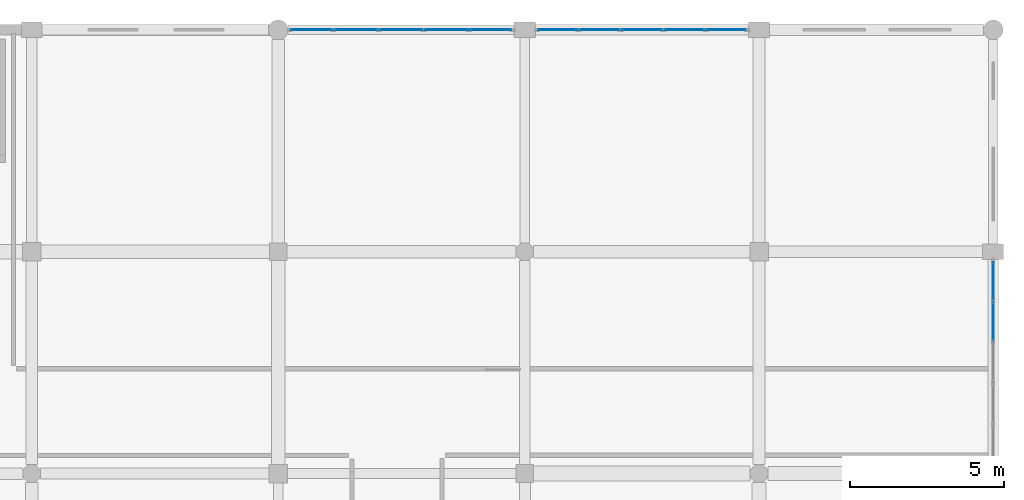
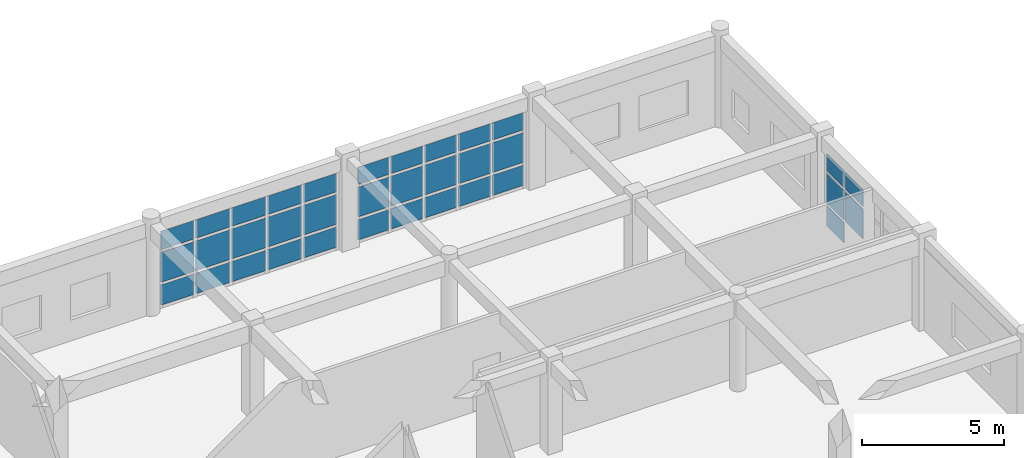
# One storey, part 39 of 53: 35 plates, 3 elements without a shape of their own.
"""IFC4 building model written with IfcOpenShell, lengths in metres."""

from ifc_helpers import new_model, si_unit, direction, frame, origin, origin_2d, place, context, subcontext, project, spatial, rectangle, extrude, material, layer, layer_set, type_object, element, aggregate, save


model = new_model("IFC4")

# Units and contexts
model_context = context("Model", 3, precision=1e-05, world=origin(), true_north=direction((0.0, 1.0)))
body_context = subcontext(model_context, "Body", "Model", "MODEL_VIEW")
ifc_project = project(units=[si_unit("LENGTHUNIT", "METRE"), si_unit("AREAUNIT", "SQUARE_METRE"), si_unit("VOLUMEUNIT", "CUBIC_METRE"), si_unit("PLANEANGLEUNIT", "RADIAN"), si_unit("MASSUNIT", "GRAM", prefix="KILO")], contexts=[model_context])

# Site, building, storey
site_placement = place(None, origin())
site = spatial("IfcSite", under=ifc_project, at=site_placement, CompositionType="ELEMENT")
building_placement = place(site_placement, origin())
building = spatial("IfcBuilding", under=site, at=building_placement, Name="Kharva Crest Polytechnic", CompositionType="ELEMENT")
storey_placement = place(building_placement, frame((0.0, 0.0, 17.39990234375)))
storey = spatial("IfcBuildingStorey", under=building, at=storey_placement, Name="L04", CompositionType="ELEMENT", Elevation=17.39990234375)

# Curtain wall, plates
ifc_material = material(Name="Tempered insulated glass", Category="glass")
curtain_wall_type = type_object("IfcCurtainWallType", Name="CW-SYS-STUDIO", PredefinedType="USERDEFINED", material=ifc_material)
curtain_wall_1_placement = place(storey_placement, origin())
curtain_wall_1 = element("IfcCurtainWall", 1, at=curtain_wall_1_placement, inside=storey, type_object=curtain_wall_type, Name="L04 Glazed Curtain Wall CW-172", ObjectType="CURTAIN WALL", PredefinedType="USERDEFINED")
ifc_layer = layer(ifc_material, 0.02587890625, Name="Tempered insulated glass")
ifc_layer_set = layer_set([ifc_layer], Name="Tempered insulated glass")
plate_type = type_object("IfcPlateType", Name="CWP-GLZ-26", PredefinedType="CURTAIN_PANEL", material=ifc_layer_set)
plate_1_placement = place(storey_placement, frame((184.0, 112.5380859375, 1.10986328125), z_axis=(0.0, 0.0, 1.0), x_axis=(0.0, 1.0, 0.0)))
plate_1 = element("IfcPlate", 2, at=plate_1_placement, type_object=plate_type, Name="CW-172 panel 4.2", PredefinedType="CURTAIN_PANEL", context=body_context, shape_type="SweptSolid", body=[
    extrude(rectangle(XDim=1.258056640625, YDim=0.02587890625, at=origin_2d()), origin(), (0.0, 0.0, 1.0), 1.280029296875),
])
plate_2_placement = place(storey_placement, frame((184.0, 112.5380859375, 2.51025390625), z_axis=(0.0, 0.0, 1.0), x_axis=(0.0, 1.0, 0.0)))
plate_2 = element("IfcPlate", 3, at=plate_2_placement, type_object=plate_type, Name="CW-172 panel 4.3", PredefinedType="CURTAIN_PANEL", context=body_context, shape_type="SweptSolid", body=[
    extrude(rectangle(XDim=1.258056640625, YDim=0.02587890625, at=origin_2d()), origin(), (0.0, 0.0, 1.0), 0.719970703125),
])
plate_3_placement = place(storey_placement, frame((184.0, 113.85595703125, 0.1201171875), z_axis=(0.0, 0.0, 1.0), x_axis=(0.0, 1.0, 0.0)))
plate_3 = element("IfcPlate", 4, at=plate_3_placement, type_object=plate_type, Name="CW-172 panel 5.1", PredefinedType="CURTAIN_PANEL", context=body_context, shape_type="SweptSolid", body=[
    extrude(rectangle(XDim=1.218017578125, YDim=0.02587890625, at=origin_2d()), origin(), (0.0, 0.0, 1.0), 0.8701171875),
])
plate_4_placement = place(storey_placement, frame((184.0, 113.85595703125, 1.10986328125), z_axis=(0.0, 0.0, 1.0), x_axis=(0.0, 1.0, 0.0)))
plate_4 = element("IfcPlate", 5, at=plate_4_placement, type_object=plate_type, Name="CW-172 panel 5.2", PredefinedType="CURTAIN_PANEL", context=body_context, shape_type="SweptSolid", body=[
    extrude(rectangle(XDim=1.218017578125, YDim=0.02587890625, at=origin_2d()), origin(), (0.0, 0.0, 1.0), 1.280029296875),
])
plate_5_placement = place(storey_placement, frame((184.0, 113.85595703125, 2.51025390625), z_axis=(0.0, 0.0, 1.0), x_axis=(0.0, 1.0, 0.0)))
plate_5 = element("IfcPlate", 6, at=plate_5_placement, type_object=plate_type, Name="CW-172 panel 5.3", PredefinedType="CURTAIN_PANEL", context=body_context, shape_type="SweptSolid", body=[
    extrude(rectangle(XDim=1.218017578125, YDim=0.02587890625, at=origin_2d()), origin(), (0.0, 0.0, 1.0), 0.719970703125),
])
aggregate(curtain_wall_1, [plate_1, plate_2, plate_3, plate_4, plate_5])

curtain_wall_2_placement = place(storey_placement, origin())
curtain_wall_2 = element("IfcCurtainWall", 7, at=curtain_wall_2_placement, inside=storey, type_object=curtain_wall_type, Name="L04 Glazed Curtain Wall CW-173", ObjectType="CURTAIN WALL", PredefinedType="USERDEFINED")
plate_6_placement = place(storey_placement, frame((175.344970703125, 122.0, 0.1201171875), z_axis=(0.0, 0.0, 1.0), x_axis=(-1.0, 0.0, 0.0)))
plate_6 = element("IfcPlate", 8, at=plate_6_placement, type_object=plate_type, Name="CW-173 panel 1.1", PredefinedType="CURTAIN_PANEL", context=body_context, shape_type="SweptSolid", body=[
    extrude(rectangle(XDim=1.260009765625, YDim=0.02587890625, at=origin_2d()), origin(), (0.0, 0.0, 1.0), 0.8701171875),
])
plate_7_placement = place(storey_placement, frame((175.344970703125, 122.0, 1.10986328125), z_axis=(0.0, 0.0, 1.0), x_axis=(-1.0, 0.0, 0.0)))
plate_7 = element("IfcPlate", 9, at=plate_7_placement, type_object=plate_type, Name="CW-173 panel 1.2", PredefinedType="CURTAIN_PANEL", context=body_context, shape_type="SweptSolid", body=[
    extrude(rectangle(XDim=1.260009765625, YDim=0.02587890625, at=origin_2d()), origin(), (0.0, 0.0, 1.0), 1.280029296875),
])
plate_8_placement = place(storey_placement, frame((175.344970703125, 122.0, 2.51025390625), z_axis=(0.0, 0.0, 1.0), x_axis=(-1.0, 0.0, 0.0)))
plate_8 = element("IfcPlate", 10, at=plate_8_placement, type_object=plate_type, Name="CW-173 panel 1.3", PredefinedType="CURTAIN_PANEL", context=body_context, shape_type="SweptSolid", body=[
    extrude(rectangle(XDim=1.260009765625, YDim=0.02587890625, at=origin_2d()), origin(), (0.0, 0.0, 1.0), 0.739990234375),
])
plate_9_placement = place(storey_placement, frame((173.985107421875, 122.0, 0.1201171875), z_axis=(0.0, 0.0, 1.0), x_axis=(-1.0, 0.0, 0.0)))
plate_9 = element("IfcPlate", 11, at=plate_9_placement, type_object=plate_type, Name="CW-173 panel 2.1", PredefinedType="CURTAIN_PANEL", context=body_context, shape_type="SweptSolid", body=[
    extrude(rectangle(XDim=1.300048828125, YDim=0.02587890625, at=origin_2d()), origin(), (0.0, 0.0, 1.0), 0.8701171875),
])
plate_10_placement = place(storey_placement, frame((173.985107421875, 122.0, 1.10986328125), z_axis=(0.0, 0.0, 1.0), x_axis=(-1.0, 0.0, 0.0)))
plate_10 = element("IfcPlate", 12, at=plate_10_placement, type_object=plate_type, Name="CW-173 panel 2.2", PredefinedType="CURTAIN_PANEL", context=body_context, shape_type="SweptSolid", body=[
    extrude(rectangle(XDim=1.300048828125, YDim=0.02587890625, at=origin_2d()), origin(), (0.0, 0.0, 1.0), 1.280029296875),
])
plate_11_placement = place(storey_placement, frame((173.985107421875, 122.0, 2.51025390625), z_axis=(0.0, 0.0, 1.0), x_axis=(-1.0, 0.0, 0.0)))
plate_11 = element("IfcPlate", 13, at=plate_11_placement, type_object=plate_type, Name="CW-173 panel 2.3", PredefinedType="CURTAIN_PANEL", context=body_context, shape_type="SweptSolid", body=[
    extrude(rectangle(XDim=1.300048828125, YDim=0.02587890625, at=origin_2d()), origin(), (0.0, 0.0, 1.0), 0.739990234375),
])
plate_12_placement = place(storey_placement, frame((172.60498046875, 122.0, 0.1201171875), z_axis=(0.0, 0.0, 1.0), x_axis=(-1.0, 0.0, 0.0)))
plate_12 = element("IfcPlate", 14, at=plate_12_placement, type_object=plate_type, Name="CW-173 panel 3.1", PredefinedType="CURTAIN_PANEL", context=body_context, shape_type="SweptSolid", body=[
    extrude(rectangle(XDim=1.300048828125, YDim=0.02587890625, at=origin_2d()), origin(), (0.0, 0.0, 1.0), 0.8701171875),
])
plate_13_placement = place(storey_placement, frame((172.60498046875, 122.0, 1.10986328125), z_axis=(0.0, 0.0, 1.0), x_axis=(-1.0, 0.0, 0.0)))
plate_13 = element("IfcPlate", 15, at=plate_13_placement, type_object=plate_type, Name="CW-173 panel 3.2", PredefinedType="CURTAIN_PANEL", context=body_context, shape_type="SweptSolid", body=[
    extrude(rectangle(XDim=1.300048828125, YDim=0.02587890625, at=origin_2d()), origin(), (0.0, 0.0, 1.0), 1.280029296875),
])
plate_14_placement = place(storey_placement, frame((172.60498046875, 122.0, 2.51025390625), z_axis=(0.0, 0.0, 1.0), x_axis=(-1.0, 0.0, 0.0)))
plate_14 = element("IfcPlate", 16, at=plate_14_placement, type_object=plate_type, Name="CW-173 panel 3.3", PredefinedType="CURTAIN_PANEL", context=body_context, shape_type="SweptSolid", body=[
    extrude(rectangle(XDim=1.300048828125, YDim=0.02587890625, at=origin_2d()), origin(), (0.0, 0.0, 1.0), 0.739990234375),
])
plate_15_placement = place(storey_placement, frame((171.22509765625, 122.0, 0.1201171875), z_axis=(0.0, 0.0, 1.0), x_axis=(-1.0, 0.0, 0.0)))
plate_15 = element("IfcPlate", 17, at=plate_15_placement, type_object=plate_type, Name="CW-173 panel 4.1", PredefinedType="CURTAIN_PANEL", context=body_context, shape_type="SweptSolid", body=[
    extrude(rectangle(XDim=1.300048828125, YDim=0.02587890625, at=origin_2d()), origin(), (0.0, 0.0, 1.0), 0.8701171875),
])
plate_16_placement = place(storey_placement, frame((171.22509765625, 122.0, 1.10986328125), z_axis=(0.0, 0.0, 1.0), x_axis=(-1.0, 0.0, 0.0)))
plate_16 = element("IfcPlate", 18, at=plate_16_placement, type_object=plate_type, Name="CW-173 panel 4.2", PredefinedType="CURTAIN_PANEL", context=body_context, shape_type="SweptSolid", body=[
    extrude(rectangle(XDim=1.300048828125, YDim=0.02587890625, at=origin_2d()), origin(), (0.0, 0.0, 1.0), 1.280029296875),
])
plate_17_placement = place(storey_placement, frame((171.22509765625, 122.0, 2.51025390625), z_axis=(0.0, 0.0, 1.0), x_axis=(-1.0, 0.0, 0.0)))
plate_17 = element("IfcPlate", 19, at=plate_17_placement, type_object=plate_type, Name="CW-173 panel 4.3", PredefinedType="CURTAIN_PANEL", context=body_context, shape_type="SweptSolid", body=[
    extrude(rectangle(XDim=1.300048828125, YDim=0.02587890625, at=origin_2d()), origin(), (0.0, 0.0, 1.0), 0.739990234375),
])
plate_18_placement = place(storey_placement, frame((169.864990234375, 122.0, 0.1201171875), z_axis=(0.0, 0.0, 1.0), x_axis=(-1.0, 0.0, 0.0)))
plate_18 = element("IfcPlate", 20, at=plate_18_placement, type_object=plate_type, Name="CW-173 panel 5.1", PredefinedType="CURTAIN_PANEL", context=body_context, shape_type="SweptSolid", body=[
    extrude(rectangle(XDim=1.260009765625, YDim=0.02587890625, at=origin_2d()), origin(), (0.0, 0.0, 1.0), 0.8701171875),
])
plate_19_placement = place(storey_placement, frame((169.864990234375, 122.0, 1.10986328125), z_axis=(0.0, 0.0, 1.0), x_axis=(-1.0, 0.0, 0.0)))
plate_19 = element("IfcPlate", 21, at=plate_19_placement, type_object=plate_type, Name="CW-173 panel 5.2", PredefinedType="CURTAIN_PANEL", context=body_context, shape_type="SweptSolid", body=[
    extrude(rectangle(XDim=1.260009765625, YDim=0.02587890625, at=origin_2d()), origin(), (0.0, 0.0, 1.0), 1.280029296875),
])
plate_20_placement = place(storey_placement, frame((169.864990234375, 122.0, 2.51025390625), z_axis=(0.0, 0.0, 1.0), x_axis=(-1.0, 0.0, 0.0)))
plate_20 = element("IfcPlate", 22, at=plate_20_placement, type_object=plate_type, Name="CW-173 panel 5.3", PredefinedType="CURTAIN_PANEL", context=body_context, shape_type="SweptSolid", body=[
    extrude(rectangle(XDim=1.260009765625, YDim=0.02587890625, at=origin_2d()), origin(), (0.0, 0.0, 1.0), 0.739990234375),
])
aggregate(curtain_wall_2, [plate_6, plate_7, plate_8, plate_9, plate_10, plate_11, plate_12, plate_13, plate_14, plate_15, plate_16, plate_17, plate_18, plate_19, plate_20])

curtain_wall_3_placement = place(storey_placement, origin())
curtain_wall_3 = element("IfcCurtainWall", 23, at=curtain_wall_3_placement, inside=storey, type_object=curtain_wall_type, Name="L04 Glazed Curtain Wall CW-174", ObjectType="CURTAIN WALL", PredefinedType="USERDEFINED")
plate_21_placement = place(storey_placement, frame((167.693115234375, 122.0, 0.1201171875), z_axis=(0.0, 0.0, 1.0), x_axis=(-1.0, 0.0, 0.0)))
plate_21 = element("IfcPlate", 24, at=plate_21_placement, type_object=plate_type, Name="CW-174 panel 1.1", PredefinedType="CURTAIN_PANEL", context=body_context, shape_type="SweptSolid", body=[
    extrude(rectangle(XDim=1.343994140625, YDim=0.02587890625, at=origin_2d()), origin(), (0.0, 0.0, 1.0), 0.8701171875),
])
plate_22_placement = place(storey_placement, frame((167.693115234375, 122.0, 1.10986328125), z_axis=(0.0, 0.0, 1.0), x_axis=(-1.0, 0.0, 0.0)))
plate_22 = element("IfcPlate", 25, at=plate_22_placement, type_object=plate_type, Name="CW-174 panel 1.2", PredefinedType="CURTAIN_PANEL", context=body_context, shape_type="SweptSolid", body=[
    extrude(rectangle(XDim=1.343994140625, YDim=0.02587890625, at=origin_2d()), origin(), (0.0, 0.0, 1.0), 1.280029296875),
])
plate_23_placement = place(storey_placement, frame((167.693115234375, 122.0, 2.510009765625), z_axis=(0.0, 0.0, 1.0), x_axis=(-1.0, 0.0, 0.0)))
plate_23 = element("IfcPlate", 26, at=plate_23_placement, type_object=plate_type, Name="CW-174 panel 1.3", PredefinedType="CURTAIN_PANEL", context=body_context, shape_type="SweptSolid", body=[
    extrude(rectangle(XDim=1.343994140625, YDim=0.02587890625, at=origin_2d()), origin(), (0.0, 0.0, 1.0), 0.7900390625),
])
plate_24_placement = place(storey_placement, frame((166.2490234375, 122.0, 0.1201171875), z_axis=(0.0, 0.0, 1.0), x_axis=(-1.0, 0.0, 0.0)))
plate_24 = element("IfcPlate", 27, at=plate_24_placement, type_object=plate_type, Name="CW-174 panel 2.1", PredefinedType="CURTAIN_PANEL", context=body_context, shape_type="SweptSolid", body=[
    extrude(rectangle(XDim=1.384033203125, YDim=0.02587890625, at=origin_2d()), origin(), (0.0, 0.0, 1.0), 0.8701171875),
])
plate_25_placement = place(storey_placement, frame((166.2490234375, 122.0, 1.10986328125), z_axis=(0.0, 0.0, 1.0), x_axis=(-1.0, 0.0, 0.0)))
plate_25 = element("IfcPlate", 28, at=plate_25_placement, type_object=plate_type, Name="CW-174 panel 2.2", PredefinedType="CURTAIN_PANEL", context=body_context, shape_type="SweptSolid", body=[
    extrude(rectangle(XDim=1.384033203125, YDim=0.02587890625, at=origin_2d()), origin(), (0.0, 0.0, 1.0), 1.280029296875),
])
plate_26_placement = place(storey_placement, frame((166.2490234375, 122.0, 2.510009765625), z_axis=(0.0, 0.0, 1.0), x_axis=(-1.0, 0.0, 0.0)))
plate_26 = element("IfcPlate", 29, at=plate_26_placement, type_object=plate_type, Name="CW-174 panel 2.3", PredefinedType="CURTAIN_PANEL", context=body_context, shape_type="SweptSolid", body=[
    extrude(rectangle(XDim=1.384033203125, YDim=0.02587890625, at=origin_2d()), origin(), (0.0, 0.0, 1.0), 0.7900390625),
])
plate_27_placement = place(storey_placement, frame((164.784912109375, 122.0, 0.1201171875), z_axis=(0.0, 0.0, 1.0), x_axis=(-1.0, 0.0, 0.0)))
plate_27 = element("IfcPlate", 30, at=plate_27_placement, type_object=plate_type, Name="CW-174 panel 3.1", PredefinedType="CURTAIN_PANEL", context=body_context, shape_type="SweptSolid", body=[
    extrude(rectangle(XDim=1.384033203125, YDim=0.02587890625, at=origin_2d()), origin(), (0.0, 0.0, 1.0), 0.8701171875),
])
plate_28_placement = place(storey_placement, frame((164.784912109375, 122.0, 1.10986328125), z_axis=(0.0, 0.0, 1.0), x_axis=(-1.0, 0.0, 0.0)))
plate_28 = element("IfcPlate", 31, at=plate_28_placement, type_object=plate_type, Name="CW-174 panel 3.2", PredefinedType="CURTAIN_PANEL", context=body_context, shape_type="SweptSolid", body=[
    extrude(rectangle(XDim=1.384033203125, YDim=0.02587890625, at=origin_2d()), origin(), (0.0, 0.0, 1.0), 1.280029296875),
])
plate_29_placement = place(storey_placement, frame((164.784912109375, 122.0, 2.510009765625), z_axis=(0.0, 0.0, 1.0), x_axis=(-1.0, 0.0, 0.0)))
plate_29 = element("IfcPlate", 32, at=plate_29_placement, type_object=plate_type, Name="CW-174 panel 3.3", PredefinedType="CURTAIN_PANEL", context=body_context, shape_type="SweptSolid", body=[
    extrude(rectangle(XDim=1.384033203125, YDim=0.02587890625, at=origin_2d()), origin(), (0.0, 0.0, 1.0), 0.7900390625),
])
plate_30_placement = place(storey_placement, frame((163.321044921875, 122.0, 0.1201171875), z_axis=(0.0, 0.0, 1.0), x_axis=(-1.0, 0.0, 0.0)))
plate_30 = element("IfcPlate", 33, at=plate_30_placement, type_object=plate_type, Name="CW-174 panel 4.1", PredefinedType="CURTAIN_PANEL", context=body_context, shape_type="SweptSolid", body=[
    extrude(rectangle(XDim=1.384033203125, YDim=0.02587890625, at=origin_2d()), origin(), (0.0, 0.0, 1.0), 0.8701171875),
])
plate_31_placement = place(storey_placement, frame((163.321044921875, 122.0, 1.10986328125), z_axis=(0.0, 0.0, 1.0), x_axis=(-1.0, 0.0, 0.0)))
plate_31 = element("IfcPlate", 34, at=plate_31_placement, type_object=plate_type, Name="CW-174 panel 4.2", PredefinedType="CURTAIN_PANEL", context=body_context, shape_type="SweptSolid", body=[
    extrude(rectangle(XDim=1.384033203125, YDim=0.02587890625, at=origin_2d()), origin(), (0.0, 0.0, 1.0), 1.280029296875),
])
plate_32_placement = place(storey_placement, frame((163.321044921875, 122.0, 2.510009765625), z_axis=(0.0, 0.0, 1.0), x_axis=(-1.0, 0.0, 0.0)))
plate_32 = element("IfcPlate", 35, at=plate_32_placement, type_object=plate_type, Name="CW-174 panel 4.3", PredefinedType="CURTAIN_PANEL", context=body_context, shape_type="SweptSolid", body=[
    extrude(rectangle(XDim=1.384033203125, YDim=0.02587890625, at=origin_2d()), origin(), (0.0, 0.0, 1.0), 0.7900390625),
])
plate_33_placement = place(storey_placement, frame((161.876953125, 122.0, 0.1201171875), z_axis=(0.0, 0.0, 1.0), x_axis=(-1.0, 0.0, 0.0)))
plate_33 = element("IfcPlate", 36, at=plate_33_placement, type_object=plate_type, Name="CW-174 panel 5.1", PredefinedType="CURTAIN_PANEL", context=body_context, shape_type="SweptSolid", body=[
    extrude(rectangle(XDim=1.343994140625, YDim=0.02587890625, at=origin_2d()), origin(), (0.0, 0.0, 1.0), 0.8701171875),
])
plate_34_placement = place(storey_placement, frame((161.876953125, 122.0, 1.10986328125), z_axis=(0.0, 0.0, 1.0), x_axis=(-1.0, 0.0, 0.0)))
plate_34 = element("IfcPlate", 37, at=plate_34_placement, type_object=plate_type, Name="CW-174 panel 5.2", PredefinedType="CURTAIN_PANEL", context=body_context, shape_type="SweptSolid", body=[
    extrude(rectangle(XDim=1.343994140625, YDim=0.02587890625, at=origin_2d()), origin(), (0.0, 0.0, 1.0), 1.280029296875),
])
plate_35_placement = place(storey_placement, frame((161.876953125, 122.0, 2.510009765625), z_axis=(0.0, 0.0, 1.0), x_axis=(-1.0, 0.0, 0.0)))
plate_35 = element("IfcPlate", 38, at=plate_35_placement, type_object=plate_type, Name="CW-174 panel 5.3", PredefinedType="CURTAIN_PANEL", context=body_context, shape_type="SweptSolid", body=[
    extrude(rectangle(XDim=1.343994140625, YDim=0.02587890625, at=origin_2d()), origin(), (0.0, 0.0, 1.0), 0.7900390625),
])
aggregate(curtain_wall_3, [plate_21, plate_22, plate_23, plate_24, plate_25, plate_26, plate_27, plate_28, plate_29, plate_30, plate_31, plate_32, plate_33, plate_34, plate_35])

save(model, "model.ifc")
